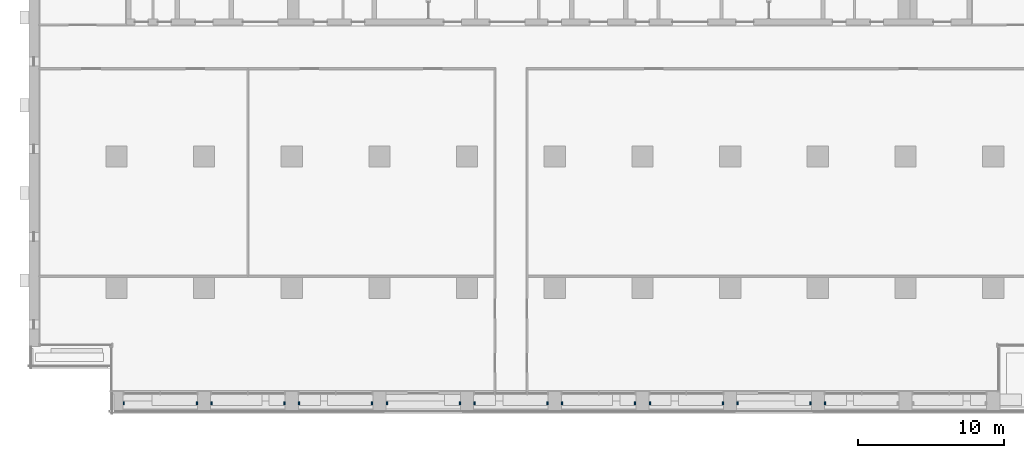
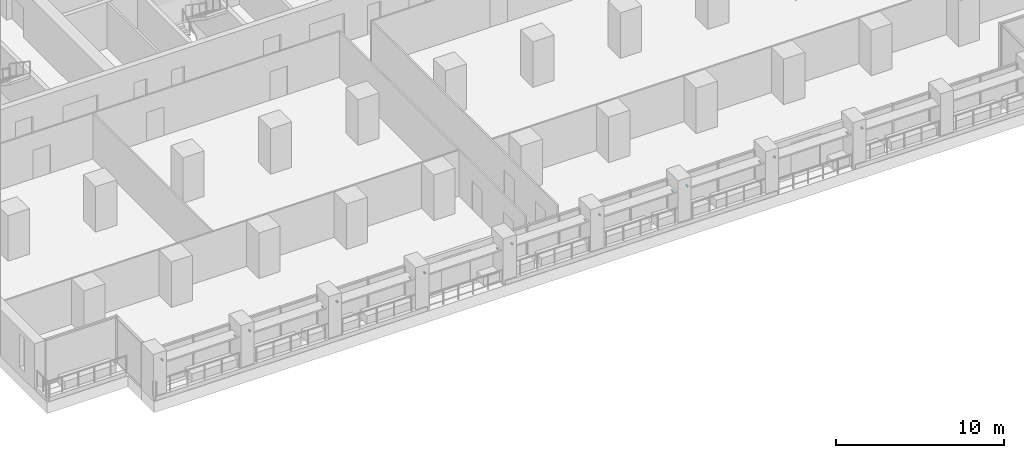
# One storey, part 13 of 18: 17 discrete accessories.
"""IFC4 building model written with IfcOpenShell, lengths in metres."""

from ifc_helpers import new_model, si_unit, direction, frame, origin, origin_2d, place, context, subcontext, project, spatial, rectangle, extrude, element, save


model = new_model("IFC4")

# Units and contexts
model_context = context("Model", 3, precision=1e-05, world=origin(), true_north=direction((0.0, 1.0)))
body_context = subcontext(model_context, "Body", "Model", "MODEL_VIEW")
ifc_project = project(units=[si_unit("LENGTHUNIT", "METRE"), si_unit("AREAUNIT", "SQUARE_METRE"), si_unit("VOLUMEUNIT", "CUBIC_METRE"), si_unit("PLANEANGLEUNIT", "RADIAN"), si_unit("MASSUNIT", "GRAM", prefix="KILO")], contexts=[model_context])

# Site, building, storey
site_placement = place(None, origin())
site = spatial("IfcSite", under=ifc_project, at=site_placement, CompositionType="ELEMENT")
building_placement = place(site_placement, origin())
building = spatial("IfcBuilding", under=site, at=building_placement, Name="Calvaro Tower", CompositionType="ELEMENT")
storey_placement = place(building_placement, frame((0.0, 0.0, 95.0)))
storey = spatial("IfcBuildingStorey", under=building, at=storey_placement, Name="L23", CompositionType="ELEMENT", Elevation=95.0)

# Discrete accessories
for number, where, z_axis, x_axis, name in (
    (1, (6.5, 2.10009765625, 2.25), (0.0, 0.0, 1.0), (1.0, 0.0, 0.0), "Brise-soleil bracket"),
    (2, (11.5, 2.10009765625, 2.25), (0.0, 0.0, 1.0), (1.0, 0.0, 0.0), "Brise-soleil bracket"),
    (3, (12.5, 2.10009765625, 2.25), (0.0, 0.0, 1.0), (1.0, 0.0, 0.0), "Brise-soleil bracket"),
    (4, (17.5, 2.10009765625, 2.25), (0.0, 0.0, 1.0), (1.0, 0.0, 0.0), "Brise-soleil bracket"),
    (5, (18.5, 2.10009765625, 2.25), (0.0, 0.0, 1.0), (1.0, 0.0, 0.0), "Brise-soleil bracket"),
    (6, (23.5, 2.10009765625, 2.25), (0.0, 0.0, 1.0), (1.0, 0.0, 0.0), "Brise-soleil bracket"),
    (7, (24.5, 2.10009765625, 2.25), (0.0, 0.0, 1.0), (1.0, 0.0, 0.0), "Brise-soleil bracket"),
    (8, (29.5, 2.10009765625, 2.25), (0.0, 0.0, 1.0), (1.0, 0.0, 0.0), "Brise-soleil bracket"),
    (9, (30.5, 2.10009765625, 2.25), (0.0, 0.0, 1.0), (1.0, 0.0, 0.0), "Brise-soleil bracket"),
    (10, (35.5, 2.10009765625, 2.25), (0.0, 0.0, 1.0), (1.0, 0.0, 0.0), "Brise-soleil bracket"),
    (11, (36.5, 2.10009765625, 2.25), (0.0, 0.0, 1.0), (1.0, 0.0, 0.0), "Brise-soleil bracket"),
    (12, (41.5, 2.10009765625, 2.25), (0.0, 0.0, 1.0), (1.0, 0.0, 0.0), "Brise-soleil bracket"),
    (13, (42.5, 2.10009765625, 2.25), (0.0, 0.0, 1.0), (1.0, 0.0, 0.0), "Brise-soleil bracket"),
    (14, (47.5, 2.10009765625, 2.25), (0.0, 0.0, 1.0), (1.0, 0.0, 0.0), "Brise-soleil bracket"),
    (15, (48.5, 2.10009765625, 2.25), (0.0, 0.0, 1.0), (1.0, 0.0, 0.0), "Brise-soleil bracket"),
    (16, (53.5, 2.10009765625, 2.25), (0.0, 0.0, 1.0), (1.0, 0.0, 0.0), "Brise-soleil bracket"),
    (17, (54.5, 2.10009765625, 2.25), (0.0, 0.0, 1.0), (1.0, 0.0, 0.0), "Brise-soleil bracket"),
):
    element("IfcDiscreteAccessory", number, at=place(storey_placement, frame(where, z_axis=z_axis, x_axis=x_axis)), inside=storey, Name=name, PredefinedType="BRACKET", context=body_context, shape_type="SweptSolid", body=[
        extrude(rectangle(XDim=0.10009765625, YDim=0.199951171875, at=origin_2d()), origin(), (0.0, 0.0, 1.0), 0.10009765625),
    ])

save(model, "model.ifc")
